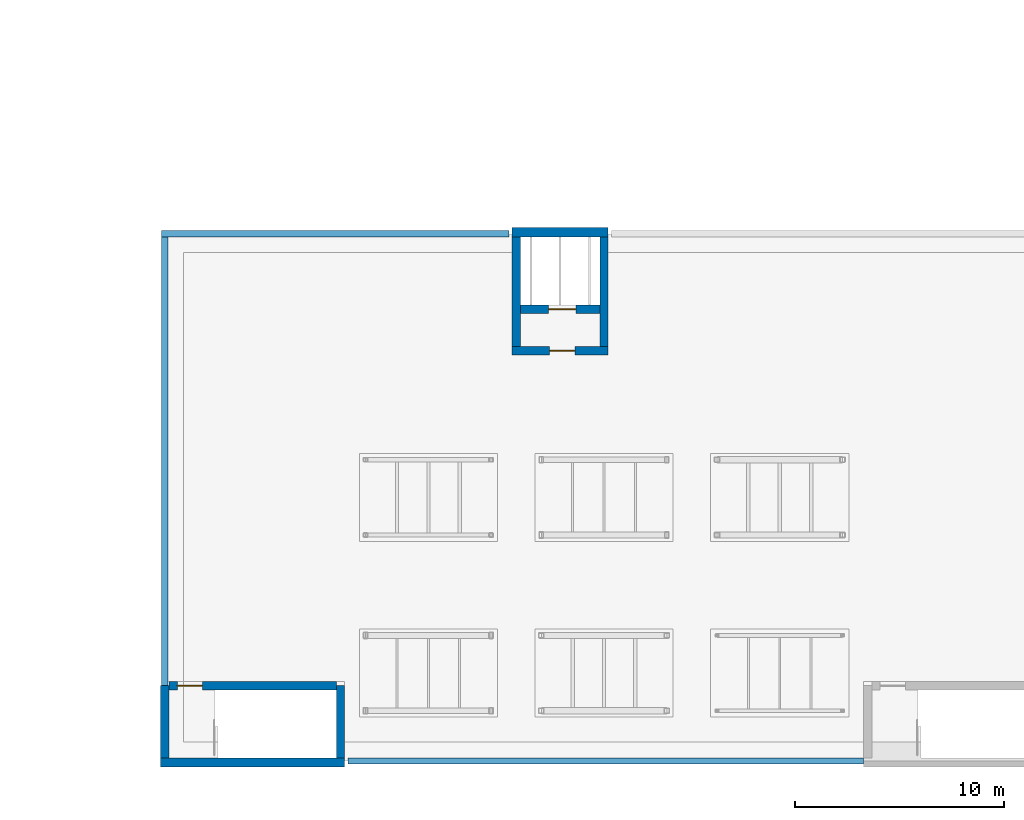
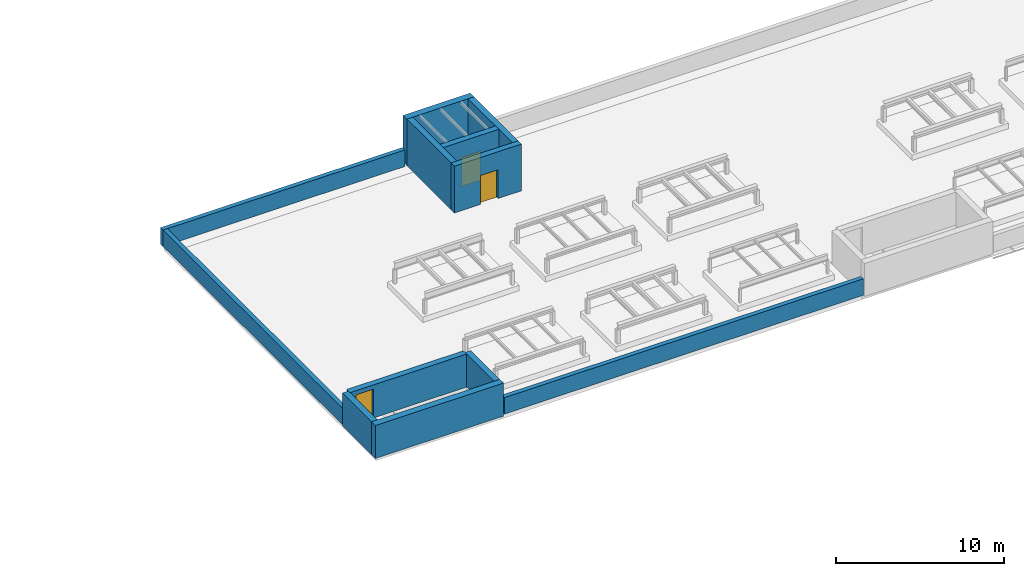
# One storey, part 11 of 18: 12 walls, 3 doors, 3 openings.
"""IFC4 building model written with IfcOpenShell, lengths in metres."""

from ifc_helpers import new_model, si_unit, direction, frame, frame_2d, origin, place, context, subcontext, project, spatial, rectangle, extrude, material, layer, layer_set, type_object, element, fill, save


model = new_model("IFC4")

# Units and contexts
model_context = context("Model", 3, precision=1e-05, world=origin(), true_north=direction((0.0, 1.0)))
body_context = subcontext(model_context, "Body", "Model", "MODEL_VIEW")
ifc_project = project(units=[si_unit("LENGTHUNIT", "METRE"), si_unit("AREAUNIT", "SQUARE_METRE"), si_unit("VOLUMEUNIT", "CUBIC_METRE"), si_unit("PLANEANGLEUNIT", "RADIAN"), si_unit("MASSUNIT", "GRAM", prefix="KILO")], contexts=[model_context])

# Site, building, storey
site_placement = place(None, origin())
site = spatial("IfcSite", under=ifc_project, at=site_placement, CompositionType="ELEMENT")
building_placement = place(site_placement, origin())
building = spatial("IfcBuilding", under=site, at=building_placement, Name="Yavir Park General Hospital", CompositionType="ELEMENT")
storey_placement = place(building_placement, frame((0.0, 0.0, 29.699951171875)))
storey = spatial("IfcBuildingStorey", under=building, at=storey_placement, Name="RF", CompositionType="ELEMENT", Elevation=29.699951171875)

# Walls
ifc_material_1 = material(Name="Concrete C35/45", Category="concrete")
ifc_layer_1 = layer(ifc_material_1, 0.39990234375)
ifc_layer_set_1 = layer_set([ifc_layer_1], Name="Concrete C35/45")
wall_type_1 = type_object("IfcWallType", Name="Reinforced concrete core wall 400, REI 150", PredefinedType="SHEAR", material=ifc_layer_set_1)
for number, where, z_axis, x_axis, name in (
    (1, (100.800048828125, 0.14990234375, 0.0), (0.0, 0.0, 1.0), (0.0, 1.0, 0.0), "Head-house end wall SU4 E1"),
    (2, (109.199951171875, 0.14990234375, 0.0), (0.0, 0.0, 1.0), (0.0, 1.0, 0.0), "Head-house end wall SU4 E2"),
):
    element("IfcWall", number, at=place(storey_placement, frame(where, z_axis=z_axis, x_axis=x_axis)), inside=storey, type_object=wall_type_1, Name=name, PredefinedType="SHEAR", context=body_context, shape_type="SweptSolid", body=[
        extrude(rectangle(XDim=3.4501953125, YDim=0.39990234375, at=frame_2d((1.72509765625, 0.0))), origin(), (0.0, 0.0, 1.0), 2.400146484375),
    ])

# Wall, opening, door
wall_1_placement = place(storey_placement, frame((101.0, 3.60009765625, 0.0), z_axis=(0.0, 0.0, 1.0), x_axis=(1.0, 0.0, 0.0)))
wall_1 = element("IfcWall", 3, at=wall_1_placement, inside=storey, type_object=wall_type_1, Name="Head-house landing wall SU4", PredefinedType="SHEAR", context=body_context, shape_type="SweptSolid", body=[
    extrude(rectangle(XDim=8.0, YDim=0.39990234375, at=frame_2d((4.0, 0.0))), origin(), (0.0, 0.0, 1.0), 2.400146484375),
])
opening_1_placement = place(wall_1_placement, frame((0.39990234375, 0.0, 0.0)))
opening_1 = element("IfcOpeningElement", 4, at=opening_1_placement, cuts=wall_1, Name="Opening RF.X03", PredefinedType="OPENING", context=body_context, shape_type="SweptSolid", body=[
    extrude(rectangle(XDim=1.199951171875, YDim=2.10009765625, at=frame_2d((0.60009765625, 1.050048828125))), frame((0.0, 0.2099609375, 0.0), z_axis=(0.0, -1.0, 0.0), x_axis=(1.0, 0.0, 0.0)), (0.0, 0.0, 1.0), 0.419921875),
])
ifc_material_2 = material(Name="Steel frame, fire-resisting timber leaf", Category="steel")
door_type_1 = type_object("IfcDoorType", Name="Fire door 1200 x 2100, EI 60", OperationType="SINGLE_SWING_LEFT", PredefinedType="DOOR", material=ifc_material_2)
door_1_placement = place(opening_1_placement, origin())
door_1 = element("IfcDoor", 5, at=door_1_placement, inside=storey, type_object=door_type_1, Name="RF.X03", OperationType="SINGLE_SWING_RIGHT", OverallHeight=2.10009765625, OverallWidth=1.199951171875, PredefinedType="DOOR", context=body_context, shape_type="SweptSolid", body=[
    extrude(rectangle(XDim=1.199951171875, YDim=2.10009765625, at=frame_2d((0.60009765625, 1.050048828125))), frame((0.0, 0.02490234375, 0.0), z_axis=(0.0, -1.0, 0.0), x_axis=(1.0, 0.0, 0.0)), (0.0, 0.0, 1.0), 0.050048828125),
])
fill(opening_1, door_1)

wall_2_placement = place(storey_placement, frame((117.39990234375, 19.60009765625, 0.0), z_axis=(0.0, 0.0, 1.0), x_axis=(1.0, 0.0, 0.0)))
wall_2 = element("IfcWall", 6, at=wall_2_placement, inside=storey, type_object=wall_type_1, Name="Lift head wall SL1 F", PredefinedType="SHEAR", context=body_context, shape_type="SweptSolid", body=[
    extrude(rectangle(XDim=4.60009765625, YDim=0.39990234375, at=frame_2d((2.300048828125, 0.0))), origin(), (0.0, 0.0, 1.0), 3.400146484375),
])
opening_2_placement = place(wall_2_placement, frame((1.800048828125, 0.0, 0.0)))
opening_2 = element("IfcOpeningElement", 7, at=opening_2_placement, cuts=wall_2, Name="Opening RF.X10", PredefinedType="OPENING", context=body_context, shape_type="SweptSolid", body=[
    extrude(rectangle(XDim=1.199951171875, YDim=2.10009765625, at=frame_2d((0.60009765625, 1.050048828125))), frame((0.0, 0.2099609375, 0.0), z_axis=(0.0, -1.0, 0.0), x_axis=(1.0, 0.0, 0.0)), (0.0, 0.0, 1.0), 0.419921875),
])
door_2_placement = place(opening_2_placement, frame((1.199951171875, 0.0, 0.0), x_axis=(-1.0, 0.0, 0.0)))
door_2 = element("IfcDoor", 8, at=door_2_placement, inside=storey, type_object=door_type_1, Name="RF.X10", OperationType="SINGLE_SWING_LEFT", OverallHeight=2.10009765625, OverallWidth=1.199951171875, PredefinedType="DOOR", context=body_context, shape_type="SweptSolid", body=[
    extrude(rectangle(XDim=1.199951171875, YDim=2.10009765625, at=frame_2d((0.60009765625, 1.050048828125))), frame((0.0, 0.02490234375, 0.0), z_axis=(0.0, -1.0, 0.0), x_axis=(1.0, 0.0, 0.0)), (0.0, 0.0, 1.0), 0.050048828125),
])
fill(opening_2, door_2)

# Walls
for number, where, z_axis, x_axis, name in (
    (9, (117.60009765625, 19.800048828125, 0.0), (0.0, 0.0, 1.0), (0.0, 1.0, 0.0), "Lift head wall SL1 W"),
    (10, (121.800048828125, 19.800048828125, 0.0), (0.0, 0.0, 1.0), (0.0, 1.0, 0.0), "Lift head wall SL1 E"),
):
    element("IfcWall", number, at=place(storey_placement, frame(where, z_axis=z_axis, x_axis=x_axis)), inside=storey, type_object=wall_type_1, Name=name, PredefinedType="SHEAR", context=body_context, shape_type="SweptSolid", body=[
        extrude(rectangle(XDim=5.25, YDim=0.39990234375, at=frame_2d((2.625, 0.0))), origin(), (0.0, 0.0, 1.0), 3.400146484375),
    ])

# Wall, opening, door
wall_3_placement = place(storey_placement, frame((117.800048828125, 21.60009765625, 0.0), z_axis=(0.0, 0.0, 1.0), x_axis=(1.0, 0.0, 0.0)))
wall_3 = element("IfcWall", 11, at=wall_3_placement, inside=storey, type_object=wall_type_1, Name="Lift head wall SL1 S", PredefinedType="SHEAR", context=body_context, shape_type="SweptSolid", body=[
    extrude(rectangle(XDim=3.800048828125, YDim=0.39990234375, at=frame_2d((1.89990234375, 0.0))), origin(), (0.0, 0.0, 1.0), 3.400146484375),
])
opening_3_placement = place(wall_3_placement, frame((1.35009765625, 0.0, 0.0)))
opening_3 = element("IfcOpeningElement", 12, at=opening_3_placement, cuts=wall_3, Name="Opening RF.X09", PredefinedType="OPENING", context=body_context, shape_type="SweptSolid", body=[
    extrude(rectangle(XDim=1.300048828125, YDim=2.10009765625, at=frame_2d((0.64990234375, 1.050048828125))), frame((0.0, 0.2099609375, 0.0), z_axis=(0.0, -1.0, 0.0), x_axis=(1.0, 0.0, 0.0)), (0.0, 0.0, 1.0), 0.419921875),
])
ifc_material_3 = material(Name="Stainless steel landing door panels", Category="steel")
door_type_2 = type_object("IfcDoorType", Name="Lift landing door 1300 x 2100, EI 60", OperationType="SLIDING_TO_LEFT", PredefinedType="DOOR", material=ifc_material_3)
door_3_placement = place(opening_3_placement, origin())
door_3 = element("IfcDoor", 13, at=door_3_placement, inside=storey, type_object=door_type_2, Name="RF.X09", OperationType="SLIDING_TO_LEFT", OverallHeight=2.10009765625, OverallWidth=1.300048828125, PredefinedType="DOOR", context=body_context, shape_type="SweptSolid", body=[
    extrude(rectangle(XDim=1.300048828125, YDim=2.10009765625, at=frame_2d((0.64990234375, 1.050048828125))), frame((0.0, 0.02490234375, 0.0), z_axis=(0.0, -1.0, 0.0), x_axis=(1.0, 0.0, 0.0)), (0.0, 0.0, 1.0), 0.050048828125),
])
fill(opening_3, door_3)

# Walls
ifc_material_4 = material(Name="Concrete C30/37", Category="concrete")
ifc_layer_2 = layer(ifc_material_4, 0.300048828125)
ifc_layer_set_2 = layer_set([ifc_layer_2], Name="Concrete C30/37")
wall_type_2 = type_object("IfcWallType", Name="Roof parapet 300 x 1200", PredefinedType="PARAPET", material=ifc_layer_set_2)
wall_4_placement = place(storey_placement, frame((117.25, 25.199951171875, 0.0), z_axis=(0.0, 0.0, 1.0), x_axis=(-1.0, 0.0, 0.0)))
element("IfcWall", 14, at=wall_4_placement, inside=storey, type_object=wall_type_2, Name="Parapet L061008-0.0.0", PredefinedType="PARAPET", context=body_context, shape_type="SweptSolid", body=[
    extrude(rectangle(XDim=16.60009765625, YDim=0.300048828125, at=frame_2d((8.300048828125, 0.0))), origin(), (0.0, 0.0, 1.0), 1.199951171875),
])
wall_5_placement = place(storey_placement, frame((100.800048828125, 25.050048828125, 0.0), z_axis=(0.0, 0.0, 1.0), x_axis=(0.0, -1.0, 0.0)))
element("IfcWall", 15, at=wall_5_placement, inside=storey, type_object=wall_type_2, Name="Parapet L061008-0.0.1", PredefinedType="PARAPET", context=body_context, shape_type="SweptSolid", body=[
    extrude(rectangle(XDim=21.449951171875, YDim=0.300048828125, at=frame_2d((10.72509765625, 0.0))), origin(), (0.0, 0.0, 1.0), 1.199951171875),
])
wall_6_placement = place(storey_placement, frame((109.550048828125, 0.0, 0.0), z_axis=(0.0, 0.0, 1.0), x_axis=(1.0, 0.0, 0.0)))
element("IfcWall", 16, at=wall_6_placement, inside=storey, type_object=wall_type_2, Name="Parapet L061008-0.1.0", PredefinedType="PARAPET", context=body_context, shape_type="SweptSolid", body=[
    extrude(rectangle(XDim=24.64990234375, YDim=0.300048828125, at=frame_2d((12.324951171875, 0.0))), origin(), (0.0, 0.0, 1.0), 1.199951171875),
])
ifc_material_5 = material(Name="Concrete C30/37 precast panel with 150 mm mineral wool insulation", Category="concrete")
ifc_layer_3 = layer(ifc_material_5, 0.449951171875)
ifc_layer_set_3 = layer_set([ifc_layer_3], Name="Concrete C30/37 precast panel with 150 mm mineral wool insulation")
wall_type_3 = type_object("IfcWallType", Name="Stair enclosure wall 450, REI 150", PredefinedType="SOLIDWALL", material=ifc_layer_set_3)
wall_7_placement = place(storey_placement, frame((100.60009765625, -0.074951171875, 0.0), z_axis=(0.0, 0.0, 1.0), x_axis=(1.0, 0.0, 0.0)))
element("IfcWall", 17, at=wall_7_placement, inside=storey, type_object=wall_type_3, Name="Head-house facade wall SU4", PredefinedType="SOLIDWALL", context=body_context, shape_type="SweptSolid", body=[
    extrude(rectangle(XDim=8.7998046875, YDim=0.449951171875, at=frame_2d((4.39990234375, 0.0))), origin(), (0.0, 0.0, 1.0), 2.400146484375),
])
wall_8_placement = place(storey_placement, frame((117.39990234375, 25.27490234375, 0.0), z_axis=(0.0, 0.0, 1.0), x_axis=(1.0, 0.0, 0.0)))
element("IfcWall", 18, at=wall_8_placement, inside=storey, type_object=wall_type_3, Name="Lift head wall SL1 N", PredefinedType="SOLIDWALL", context=body_context, shape_type="SweptSolid", body=[
    extrude(rectangle(XDim=4.60009765625, YDim=0.449951171875, at=frame_2d((2.300048828125, 0.0))), origin(), (0.0, 0.0, 1.0), 3.400146484375),
])

save(model, "model.ifc")
